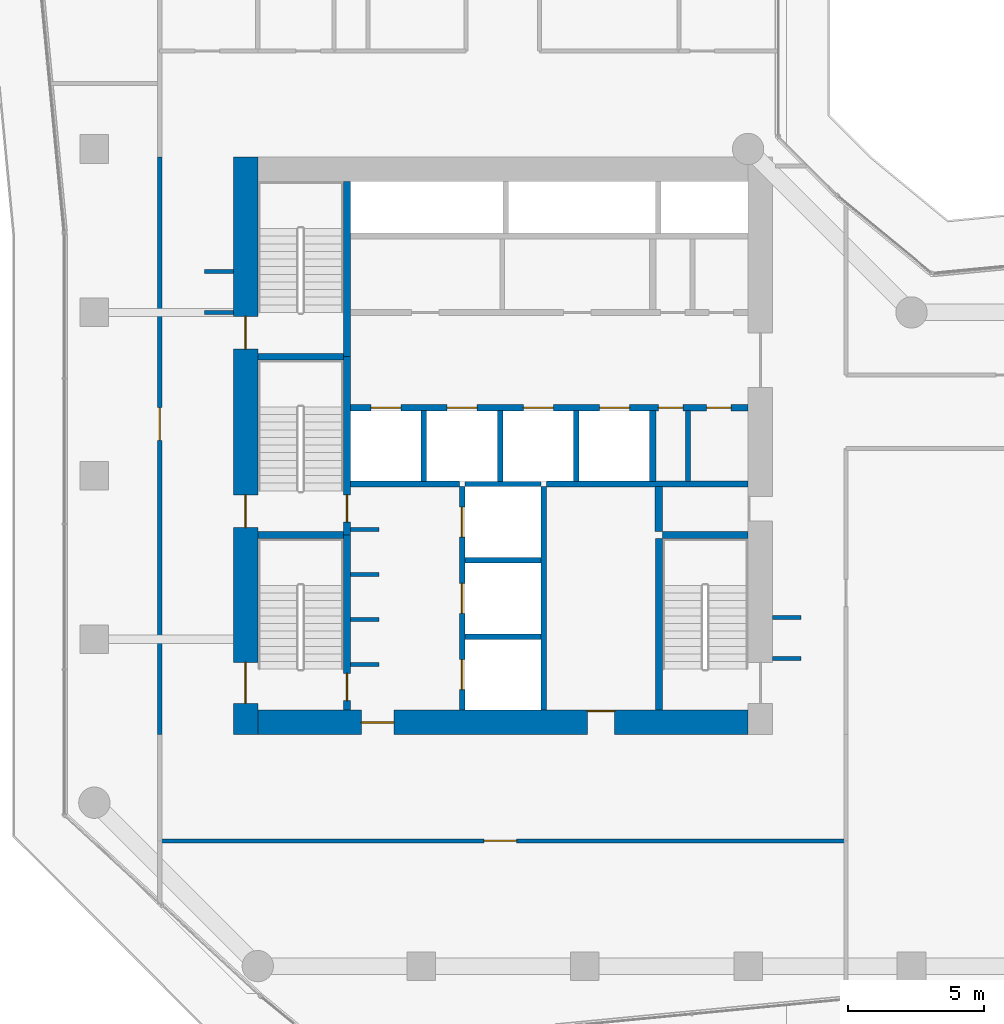
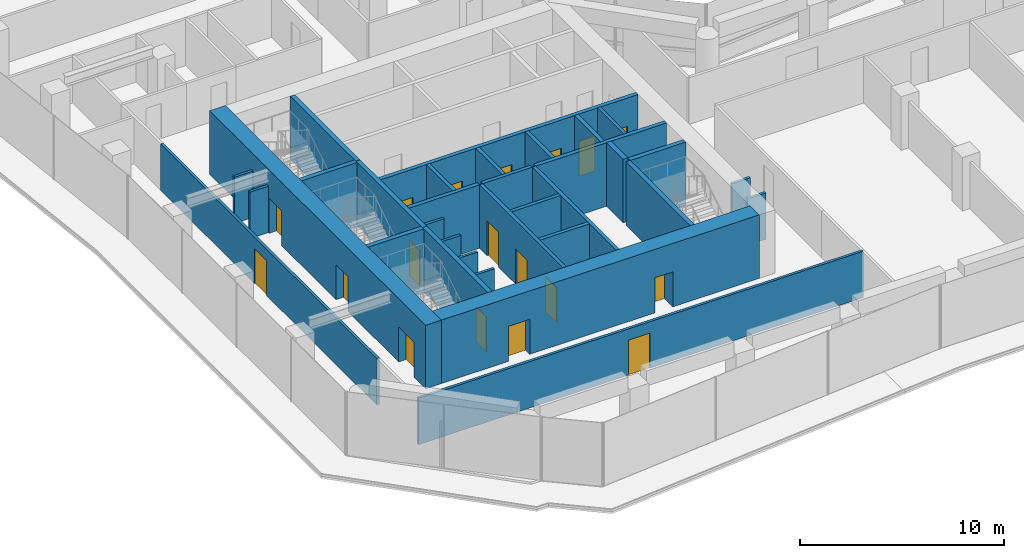
# One storey, part 24 of 30: 33 walls, 18 doors, 18 openings.
"""IFC4 building model written with IfcOpenShell, lengths in metres."""

from ifc_helpers import new_model, si_unit, direction, frame, frame_2d, origin, place, context, subcontext, project, spatial, rectangle, extrude, material, layer, layer_set, type_object, element, fill, save


model = new_model("IFC4")

# Units and contexts
model_context = context("Model", 3, precision=1e-05, world=origin(), true_north=direction((0.0, 1.0)))
body_context = subcontext(model_context, "Body", "Model", "MODEL_VIEW")
ifc_project = project(units=[si_unit("LENGTHUNIT", "METRE"), si_unit("AREAUNIT", "SQUARE_METRE"), si_unit("VOLUMEUNIT", "CUBIC_METRE"), si_unit("PLANEANGLEUNIT", "RADIAN"), si_unit("MASSUNIT", "GRAM", prefix="KILO")], contexts=[model_context])

# Site, building, storey
site_placement = place(None, origin())
site = spatial("IfcSite", under=ifc_project, at=site_placement, CompositionType="ELEMENT")
building_placement = place(site_placement, origin())
building = spatial("IfcBuilding", under=site, at=building_placement, Name="Welwitschia Terrace Campus", CompositionType="ELEMENT")
storey_placement = place(building_placement, frame((0.0, 0.0, 75.199951171875)))
storey = spatial("IfcBuildingStorey", under=building, at=storey_placement, Name="L17", CompositionType="ELEMENT", Elevation=75.199951171875)

# Walls
ifc_material_1 = material(Name="Concrete C32/40", Category="concrete")
ifc_layer_1 = layer(ifc_material_1, 0.175048828125)
ifc_layer_set_1 = layer_set([ifc_layer_1], Name="Concrete C32/40")
wall_type_1 = type_object("IfcWallType", Name="Core partition 175 Concrete C32/40", PredefinedType="PARTITIONING", material=ifc_layer_set_1)
wall_1_placement = place(storey_placement, frame((21.7900390625, 13.800048828125, 0.0), z_axis=(0.0, 0.0, 1.0), x_axis=(0.0, 1.0, 0.0)))
element("IfcWall", 1, at=wall_1_placement, inside=storey, type_object=wall_type_1, Name="Core partition", PredefinedType="PARTITIONING", context=body_context, shape_type="SweptSolid", body=[
    extrude(rectangle(XDim=2.599853515625, YDim=0.175048828125, at=frame_2d((1.2998046875, 0.0))), origin(), (0.0, 0.0, 1.0), 3.800048828125),
])
ifc_material_2 = material(Name="Concrete C32/40", Category="concrete")
ifc_layer_2 = layer(ifc_material_2, 0.22509765625)
ifc_layer_set_2 = layer_set([ifc_layer_2], Name="Concrete C32/40")
wall_type_2 = type_object("IfcWallType", Name="Core partition 225 Concrete C32/40", PredefinedType="PARTITIONING", material=ifc_layer_set_2)
wall_2_placement = place(storey_placement, frame((9.39990234375, 13.699951171875, 0.0), z_axis=(0.0, 0.0, 1.0), x_axis=(1.0, 0.0, 0.0)))
element("IfcWall", 2, at=wall_2_placement, inside=storey, type_object=wall_type_2, Name="Shaft wall", PredefinedType="PARTITIONING", context=body_context, shape_type="SweptSolid", body=[
    extrude(rectangle(XDim=4.0, YDim=0.22509765625, at=frame_2d((2.0, 0.0))), origin(), (0.0, 0.0, 1.0), 3.800048828125),
])
wall_3_placement = place(storey_placement, frame((16.60009765625, 13.699951171875, 0.0), z_axis=(0.0, 0.0, 1.0), x_axis=(1.0, 0.0, 0.0)))
element("IfcWall", 3, at=wall_3_placement, inside=storey, type_object=wall_type_2, Name="Shaft wall", PredefinedType="PARTITIONING", context=body_context, shape_type="SweptSolid", body=[
    extrude(rectangle(XDim=7.39990234375, YDim=0.22509765625, at=frame_2d((3.699951171875, 0.0))), origin(), (0.0, 0.0, 1.0), 3.800048828125),
])

# Wall, openings, doors
wall_4_placement = place(storey_placement, frame((9.39990234375, 16.5, 0.0), z_axis=(0.0, 0.0, 1.0), x_axis=(1.0, 0.0, 0.0)))
wall_4 = element("IfcWall", 4, at=wall_4_placement, inside=storey, type_object=wall_type_2, Name="Shaft wall", PredefinedType="PARTITIONING", context=body_context, shape_type="SweptSolid", body=[
    extrude(rectangle(XDim=14.60009765625, YDim=0.22509765625, at=frame_2d((7.300048828125, 0.0))), origin(), (0.0, 0.0, 1.0), 3.800048828125),
])
opening_1_placement = place(wall_4_placement, frame((0.75, 0.0, 0.0)))
opening_1 = element("IfcOpeningElement", 5, at=opening_1_placement, cuts=wall_4, Name="Opening LD", PredefinedType="OPENING", context=body_context, shape_type="SweptSolid", body=[
    extrude(rectangle(XDim=1.10009765625, YDim=2.10009765625, at=frame_2d((0.550048828125, 1.050048828125))), frame((0.0, 0.12255859375, 0.0), z_axis=(0.0, -1.0, 0.0), x_axis=(1.0, 0.0, 0.0)), (0.0, 0.0, 1.0), 0.2451171875),
])
opening_2_placement = place(wall_4_placement, frame((3.550048828125, 0.0, 0.0)))
opening_2 = element("IfcOpeningElement", 6, at=opening_2_placement, cuts=wall_4, Name="Opening LD", PredefinedType="OPENING", context=body_context, shape_type="SweptSolid", body=[
    extrude(rectangle(XDim=1.10009765625, YDim=2.10009765625, at=frame_2d((0.550048828125, 1.050048828125))), frame((0.0, 0.12255859375, 0.0), z_axis=(0.0, -1.0, 0.0), x_axis=(1.0, 0.0, 0.0)), (0.0, 0.0, 1.0), 0.2451171875),
])
opening_3_placement = place(wall_4_placement, frame((6.35009765625, 0.0, 0.0)))
opening_3 = element("IfcOpeningElement", 7, at=opening_3_placement, cuts=wall_4, Name="Opening LD", PredefinedType="OPENING", context=body_context, shape_type="SweptSolid", body=[
    extrude(rectangle(XDim=1.10009765625, YDim=2.10009765625, at=frame_2d((0.550048828125, 1.050048828125))), frame((0.0, 0.12255859375, 0.0), z_axis=(0.0, -1.0, 0.0), x_axis=(1.0, 0.0, 0.0)), (0.0, 0.0, 1.0), 0.2451171875),
])
opening_4_placement = place(wall_4_placement, frame((9.14990234375, 0.0, 0.0)))
opening_4 = element("IfcOpeningElement", 8, at=opening_4_placement, cuts=wall_4, Name="Opening LD", PredefinedType="OPENING", context=body_context, shape_type="SweptSolid", body=[
    extrude(rectangle(XDim=1.10009765625, YDim=2.10009765625, at=frame_2d((0.550048828125, 1.050048828125))), frame((0.0, 0.12255859375, 0.0), z_axis=(0.0, -1.0, 0.0), x_axis=(1.0, 0.0, 0.0)), (0.0, 0.0, 1.0), 0.2451171875),
])
opening_5_placement = place(wall_4_placement, frame((11.3076171875, 0.0, 0.0)))
opening_5 = element("IfcOpeningElement", 9, at=opening_5_placement, cuts=wall_4, Name="Opening DR09", PredefinedType="OPENING", context=body_context, shape_type="SweptSolid", body=[
    extrude(rectangle(XDim=0.89990234375, YDim=2.10009765625, at=frame_2d((0.449951171875, 1.050048828125))), frame((0.0, 0.12255859375, 0.0), z_axis=(0.0, -1.0, 0.0), x_axis=(1.0, 0.0, 0.0)), (0.0, 0.0, 1.0), 0.2451171875),
])
opening_6_placement = place(wall_4_placement, frame((13.08251953125, 0.0, 0.0)))
opening_6 = element("IfcOpeningElement", 10, at=opening_6_placement, cuts=wall_4, Name="Opening DR09", PredefinedType="OPENING", context=body_context, shape_type="SweptSolid", body=[
    extrude(rectangle(XDim=0.89990234375, YDim=2.10009765625, at=frame_2d((0.449951171875, 1.050048828125))), frame((0.0, 0.12255859375, 0.0), z_axis=(0.0, -1.0, 0.0), x_axis=(1.0, 0.0, 0.0)), (0.0, 0.0, 1.0), 0.2451171875),
])
ifc_material_3 = material(Name="Steel S275", Category="steel")
door_type_1 = type_object("IfcDoorType", Name="Core door DR09", OperationType="SINGLE_SWING_LEFT", PredefinedType="DOOR", material=ifc_material_3)
door_1_placement = place(opening_5_placement, origin())
door_1 = element("IfcDoor", 11, at=door_1_placement, inside=storey, type_object=door_type_1, Name="Door EL1-D", OperationType="SINGLE_SWING_RIGHT", OverallHeight=2.10009765625, OverallWidth=0.89990234375, PredefinedType="DOOR", context=body_context, shape_type="SweptSolid", body=[
    extrude(rectangle(XDim=0.89990234375, YDim=2.10009765625, at=frame_2d((0.449951171875, 1.050048828125))), frame((0.0, 0.02490234375, 0.0), z_axis=(0.0, -1.0, 0.0), x_axis=(1.0, 0.0, 0.0)), (0.0, 0.0, 1.0), 0.050048828125),
])
fill(opening_5, door_1)
door_2_placement = place(opening_6_placement, origin())
door_2 = element("IfcDoor", 12, at=door_2_placement, inside=storey, type_object=door_type_1, Name="Door EL2-D", OperationType="SINGLE_SWING_RIGHT", OverallHeight=2.10009765625, OverallWidth=0.89990234375, PredefinedType="DOOR", context=body_context, shape_type="SweptSolid", body=[
    extrude(rectangle(XDim=0.89990234375, YDim=2.10009765625, at=frame_2d((0.449951171875, 1.050048828125))), frame((0.0, 0.02490234375, 0.0), z_axis=(0.0, -1.0, 0.0), x_axis=(1.0, 0.0, 0.0)), (0.0, 0.0, 1.0), 0.050048828125),
])
fill(opening_6, door_2)
ifc_material_4 = material(Name="Stainless steel 304", Category="steel")
door_type_2 = type_object("IfcDoorType", Name="Lift landing door", OperationType="DOUBLE_DOOR_SLIDING", PredefinedType="DOOR", material=ifc_material_4)
door_3_placement = place(opening_1_placement, origin())
door_3 = element("IfcDoor", 13, at=door_3_placement, inside=storey, type_object=door_type_2, Name="Landing door LR1", OperationType="DOUBLE_DOOR_SLIDING", OverallHeight=2.10009765625, OverallWidth=1.10009765625, PredefinedType="DOOR", context=body_context, shape_type="SweptSolid", body=[
    extrude(rectangle(XDim=1.10009765625, YDim=2.10009765625, at=frame_2d((0.550048828125, 1.050048828125))), frame((0.0, 0.02490234375, 0.0), z_axis=(0.0, -1.0, 0.0), x_axis=(1.0, 0.0, 0.0)), (0.0, 0.0, 1.0), 0.050048828125),
])
fill(opening_1, door_3)
door_4_placement = place(opening_2_placement, origin())
door_4 = element("IfcDoor", 14, at=door_4_placement, inside=storey, type_object=door_type_2, Name="Landing door LR2", OperationType="DOUBLE_DOOR_SLIDING", OverallHeight=2.10009765625, OverallWidth=1.10009765625, PredefinedType="DOOR", context=body_context, shape_type="SweptSolid", body=[
    extrude(rectangle(XDim=1.10009765625, YDim=2.10009765625, at=frame_2d((0.550048828125, 1.050048828125))), frame((0.0, 0.02490234375, 0.0), z_axis=(0.0, -1.0, 0.0), x_axis=(1.0, 0.0, 0.0)), (0.0, 0.0, 1.0), 0.050048828125),
])
fill(opening_2, door_4)
door_5_placement = place(opening_3_placement, origin())
door_5 = element("IfcDoor", 15, at=door_5_placement, inside=storey, type_object=door_type_2, Name="Landing door LR3", OperationType="DOUBLE_DOOR_SLIDING", OverallHeight=2.10009765625, OverallWidth=1.10009765625, PredefinedType="DOOR", context=body_context, shape_type="SweptSolid", body=[
    extrude(rectangle(XDim=1.10009765625, YDim=2.10009765625, at=frame_2d((0.550048828125, 1.050048828125))), frame((0.0, 0.02490234375, 0.0), z_axis=(0.0, -1.0, 0.0), x_axis=(1.0, 0.0, 0.0)), (0.0, 0.0, 1.0), 0.050048828125),
])
fill(opening_3, door_5)
door_6_placement = place(opening_4_placement, origin())
door_6 = element("IfcDoor", 16, at=door_6_placement, inside=storey, type_object=door_type_2, Name="Landing door LR4", OperationType="DOUBLE_DOOR_SLIDING", OverallHeight=2.10009765625, OverallWidth=1.10009765625, PredefinedType="DOOR", context=body_context, shape_type="SweptSolid", body=[
    extrude(rectangle(XDim=1.10009765625, YDim=2.10009765625, at=frame_2d((0.550048828125, 1.050048828125))), frame((0.0, 0.02490234375, 0.0), z_axis=(0.0, -1.0, 0.0), x_axis=(1.0, 0.0, 0.0)), (0.0, 0.0, 1.0), 0.050048828125),
])
fill(opening_4, door_6)

# Walls
wall_5_placement = place(storey_placement, frame((20.5, 13.800048828125, 0.0), z_axis=(0.0, 0.0, 1.0), x_axis=(0.0, 1.0, 0.0)))
element("IfcWall", 17, at=wall_5_placement, inside=storey, type_object=wall_type_2, Name="Shaft wall", PredefinedType="PARTITIONING", context=body_context, shape_type="SweptSolid", body=[
    extrude(rectangle(XDim=2.599853515625, YDim=0.22509765625, at=frame_2d((1.2998046875, 0.0))), origin(), (0.0, 0.0, 1.0), 3.800048828125),
])
ifc_material_5 = material(Name="Concrete C32/40", Category="concrete")
ifc_layer_3 = layer(ifc_material_5, 0.27490234375)
ifc_layer_set_3 = layer_set([ifc_layer_3], Name="Concrete C32/40")
wall_type_3 = type_object("IfcWallType", Name="Core partition 275 Concrete C32/40", PredefinedType="PARTITIONING", material=ifc_layer_set_3)
wall_6_placement = place(storey_placement, frame((20.72509765625, 11.949951171875, 0.0), z_axis=(0.0, 0.0, 1.0), x_axis=(0.0, 1.0, 0.0)))
element("IfcWall", 18, at=wall_6_placement, inside=storey, type_object=wall_type_3, Name="Core partition", PredefinedType="PARTITIONING", context=body_context, shape_type="SweptSolid", body=[
    extrude(rectangle(XDim=1.650146484375, YDim=0.27490234375, at=frame_2d((0.8251953125, 0.0))), origin(), (0.0, 0.0, 1.0), 3.800048828125),
])
ifc_material_6 = material(Name="Concrete C50/60", Category="concrete")
ifc_layer_4 = layer(ifc_material_6, 0.14990234375)
ifc_layer_set_4 = layer_set([ifc_layer_4], Name="Concrete C50/60")
wall_type_4 = type_object("IfcWallType", Name="Core wall 150 Concrete C50/60", PredefinedType="SHEAR", material=ifc_layer_set_4)
for number, where, z_axis, x_axis, name in (
    (19, (9.39990234375, 7.074951171875, 0.0), (0.0, 0.0, 1.0), (1.0, 0.0, 0.0), "Core wall"),
    (20, (9.39990234375, 8.72509765625, 0.0), (0.0, 0.0, 1.0), (1.0, 0.0, 0.0), "Core wall"),
    (21, (9.39990234375, 10.375, 0.0), (0.0, 0.0, 1.0), (1.0, 0.0, 0.0), "Core wall"),
    (22, (9.39990234375, 12.02490234375, 0.0), (0.0, 0.0, 1.0), (1.0, 0.0, 0.0), "Core wall"),
):
    element("IfcWall", number, at=place(storey_placement, frame(where, z_axis=z_axis, x_axis=x_axis)), inside=storey, type_object=wall_type_4, Name=name, PredefinedType="SHEAR", context=body_context, shape_type="SweptSolid", body=[
        extrude(rectangle(XDim=1.050048828125, YDim=0.14990234375, at=frame_2d((0.52490234375, 0.0))), origin(), (0.0, 0.0, 1.0), 3.800048828125),
    ])
ifc_material_7 = material(Name="Concrete C50/60", Category="concrete")
ifc_layer_5 = layer(ifc_material_7, 0.199951171875)
ifc_layer_set_5 = layer_set([ifc_layer_5], Name="Concrete C50/60")
wall_type_5 = type_object("IfcWallType", Name="Core wall 200 Concrete C50/60", PredefinedType="SHEAR", material=ifc_layer_set_5)
for number, where, z_axis, x_axis, name in (
    (23, (13.60009765625, 8.10009765625, 0.0), (0.0, 0.0, 1.0), (1.0, 0.0, 0.0), "Core wall"),
    (24, (13.60009765625, 10.89990234375, 0.0), (0.0, 0.0, 1.0), (1.0, 0.0, 0.0), "Core wall"),
    (25, (13.60009765625, 13.699951171875, 0.0), (0.0, 0.0, 1.0), (1.0, 0.0, 0.0), "Core wall"),
):
    element("IfcWall", number, at=place(storey_placement, frame(where, z_axis=z_axis, x_axis=x_axis)), inside=storey, type_object=wall_type_5, Name=name, PredefinedType="SHEAR", context=body_context, shape_type="SweptSolid", body=[
        extrude(rectangle(XDim=2.7998046875, YDim=0.199951171875, at=frame_2d((1.39990234375, 0.0))), origin(), (0.0, 0.0, 1.0), 3.800048828125),
    ])

# Wall, openings, doors
wall_7_placement = place(storey_placement, frame((13.5, 5.39990234375, 0.0), z_axis=(0.0, 0.0, 1.0), x_axis=(0.0, 1.0, 0.0)))
wall_7 = element("IfcWall", 26, at=wall_7_placement, inside=storey, type_object=wall_type_5, Name="Core wall", PredefinedType="SHEAR", context=body_context, shape_type="SweptSolid", body=[
    extrude(rectangle(XDim=8.2001953125, YDim=0.199951171875, at=frame_2d((4.10009765625, 0.0))), origin(), (0.0, 0.0, 1.0), 3.800048828125),
])
opening_7_placement = place(wall_7_placement, frame((0.75, 0.0, 0.0)))
opening_7 = element("IfcOpeningElement", 27, at=opening_7_placement, cuts=wall_7, Name="Opening LD", PredefinedType="OPENING", context=body_context, shape_type="SweptSolid", body=[
    extrude(rectangle(XDim=1.10009765625, YDim=2.10009765625, at=frame_2d((0.550048828125, 1.050048828125))), frame((0.0, 0.10986328125, 0.0), z_axis=(0.0, -1.0, 0.0), x_axis=(1.0, 0.0, 0.0)), (0.0, 0.0, 1.0), 0.219970703125),
])
opening_8_placement = place(wall_7_placement, frame((3.550048828125, 0.0, 0.0)))
opening_8 = element("IfcOpeningElement", 28, at=opening_8_placement, cuts=wall_7, Name="Opening LD", PredefinedType="OPENING", context=body_context, shape_type="SweptSolid", body=[
    extrude(rectangle(XDim=1.10009765625, YDim=2.10009765625, at=frame_2d((0.550048828125, 1.050048828125))), frame((0.0, 0.10986328125, 0.0), z_axis=(0.0, -1.0, 0.0), x_axis=(1.0, 0.0, 0.0)), (0.0, 0.0, 1.0), 0.219970703125),
])
opening_9_placement = place(wall_7_placement, frame((6.35009765625, 0.0, 0.0)))
opening_9 = element("IfcOpeningElement", 29, at=opening_9_placement, cuts=wall_7, Name="Opening LD", PredefinedType="OPENING", context=body_context, shape_type="SweptSolid", body=[
    extrude(rectangle(XDim=1.10009765625, YDim=2.10009765625, at=frame_2d((0.550048828125, 1.050048828125))), frame((0.0, 0.10986328125, 0.0), z_axis=(0.0, -1.0, 0.0), x_axis=(1.0, 0.0, 0.0)), (0.0, 0.0, 1.0), 0.219970703125),
])
door_7_placement = place(opening_7_placement, origin())
door_7 = element("IfcDoor", 30, at=door_7_placement, inside=storey, type_object=door_type_2, Name="Landing door FF1", OperationType="DOUBLE_DOOR_SLIDING", OverallHeight=2.10009765625, OverallWidth=1.10009765625, PredefinedType="DOOR", context=body_context, shape_type="SweptSolid", body=[
    extrude(rectangle(XDim=1.10009765625, YDim=2.10009765625, at=frame_2d((0.550048828125, 1.050048828125))), frame((0.0, 0.02490234375, 0.0), z_axis=(0.0, -1.0, 0.0), x_axis=(1.0, 0.0, 0.0)), (0.0, 0.0, 1.0), 0.050048828125),
])
fill(opening_7, door_7)
door_8_placement = place(opening_8_placement, origin())
door_8 = element("IfcDoor", 31, at=door_8_placement, inside=storey, type_object=door_type_2, Name="Landing door FF2", OperationType="DOUBLE_DOOR_SLIDING", OverallHeight=2.10009765625, OverallWidth=1.10009765625, PredefinedType="DOOR", context=body_context, shape_type="SweptSolid", body=[
    extrude(rectangle(XDim=1.10009765625, YDim=2.10009765625, at=frame_2d((0.550048828125, 1.050048828125))), frame((0.0, 0.02490234375, 0.0), z_axis=(0.0, -1.0, 0.0), x_axis=(1.0, 0.0, 0.0)), (0.0, 0.0, 1.0), 0.050048828125),
])
fill(opening_8, door_8)
door_9_placement = place(opening_9_placement, origin())
door_9 = element("IfcDoor", 32, at=door_9_placement, inside=storey, type_object=door_type_2, Name="Landing door SV1", OperationType="DOUBLE_DOOR_SLIDING", OverallHeight=2.10009765625, OverallWidth=1.10009765625, PredefinedType="DOOR", context=body_context, shape_type="SweptSolid", body=[
    extrude(rectangle(XDim=1.10009765625, YDim=2.10009765625, at=frame_2d((0.550048828125, 1.050048828125))), frame((0.0, 0.02490234375, 0.0), z_axis=(0.0, -1.0, 0.0), x_axis=(1.0, 0.0, 0.0)), (0.0, 0.0, 1.0), 0.050048828125),
])
fill(opening_9, door_9)

# Walls
wall_8_placement = place(storey_placement, frame((16.5, 5.39990234375, 0.0), z_axis=(0.0, 0.0, 1.0), x_axis=(0.0, 1.0, 0.0)))
element("IfcWall", 33, at=wall_8_placement, inside=storey, type_object=wall_type_5, Name="Core wall", PredefinedType="SHEAR", context=body_context, shape_type="SweptSolid", body=[
    extrude(rectangle(XDim=8.2001953125, YDim=0.199951171875, at=frame_2d((4.10009765625, 0.0))), origin(), (0.0, 0.0, 1.0), 3.800048828125),
])
ifc_material_8 = material(Name="Concrete C50/60", Category="concrete")
ifc_layer_6 = layer(ifc_material_8, 0.25)
ifc_layer_set_6 = layer_set([ifc_layer_6], Name="Concrete C50/60")
wall_type_6 = type_object("IfcWallType", Name="Core wall 250 Concrete C50/60", PredefinedType="SHEAR", material=ifc_layer_set_6)
for number, where, z_axis, x_axis, name in (
    (34, (6.0, 11.824951171875, 0.0), (0.0, 0.0, 1.0), (1.0, 0.0, 0.0), "Core wall"),
    (35, (20.85009765625, 11.824951171875, 0.0), (0.0, 0.0, 1.0), (1.0, 0.0, 0.0), "Core wall"),
    (36, (6.0, 18.375, 0.0), (0.0, 0.0, 1.0), (1.0, 0.0, 0.0), "Core wall"),
):
    element("IfcWall", number, at=place(storey_placement, frame(where, z_axis=z_axis, x_axis=x_axis)), inside=storey, type_object=wall_type_6, Name=name, PredefinedType="SHEAR", context=body_context, shape_type="SweptSolid", body=[
        extrude(rectangle(XDim=3.14990234375, YDim=0.25, at=frame_2d((1.574951171875, 0.0))), origin(), (0.0, 0.0, 1.0), 3.800048828125),
    ])

# Wall, opening, door
wall_9_placement = place(storey_placement, frame((9.27490234375, 11.824951171875, 0.0), z_axis=(0.0, 0.0, 1.0), x_axis=(0.0, -1.0, 0.0)))
wall_9 = element("IfcWall", 37, at=wall_9_placement, inside=storey, type_object=wall_type_6, Name="Core wall", PredefinedType="SHEAR", context=body_context, shape_type="SweptSolid", body=[
    extrude(rectangle(XDim=6.425048828125, YDim=0.25, at=frame_2d((3.21240234375, 0.0))), origin(), (0.0, 0.0, 1.0), 3.800048828125),
])
opening_10_placement = place(wall_9_placement, frame((5.074951171875, 0.0, 0.0)))
opening_10 = element("IfcOpeningElement", 38, at=opening_10_placement, cuts=wall_9, Name="Opening DS10", PredefinedType="OPENING", context=body_context, shape_type="SweptSolid", body=[
    extrude(rectangle(XDim=1.0, YDim=2.10009765625, at=frame_2d((0.5, 1.050048828125))), frame((0.0, 0.135009765625, 0.0), z_axis=(0.0, -1.0, 0.0), x_axis=(1.0, 0.0, 0.0)), (0.0, 0.0, 1.0), 0.27001953125),
])
ifc_material_9 = material(Name="Steel S275", Category="steel")
door_type_3 = type_object("IfcDoorType", Name="Core door DS10", OperationType="SINGLE_SWING_LEFT", PredefinedType="DOOR", material=ifc_material_9)
door_10_placement = place(opening_10_placement, origin())
door_10 = element("IfcDoor", 39, at=door_10_placement, inside=storey, type_object=door_type_3, Name="Door S1-FL", OperationType="SINGLE_SWING_RIGHT", OverallHeight=2.10009765625, OverallWidth=1.0, PredefinedType="DOOR", context=body_context, shape_type="SweptSolid", body=[
    extrude(rectangle(XDim=1.0, YDim=2.10009765625, at=frame_2d((0.5, 1.050048828125))), frame((0.0, 0.02490234375, 0.0), z_axis=(0.0, -1.0, 0.0), x_axis=(1.0, 0.0, 0.0)), (0.0, 0.0, 1.0), 0.050048828125),
])
fill(opening_10, door_10)

wall_10_placement = place(storey_placement, frame((9.27490234375, 18.375, 0.0), z_axis=(0.0, 0.0, 1.0), x_axis=(0.0, -1.0, 0.0)))
wall_10 = element("IfcWall", 40, at=wall_10_placement, inside=storey, type_object=wall_type_6, Name="Core wall", PredefinedType="SHEAR", context=body_context, shape_type="SweptSolid", body=[
    extrude(rectangle(XDim=6.550048828125, YDim=0.25, at=frame_2d((3.27490234375, 0.0))), origin(), (0.0, 0.0, 1.0), 3.800048828125),
])
opening_11_placement = place(wall_10_placement, frame((5.074951171875, 0.0, 0.0)))
opening_11 = element("IfcOpeningElement", 41, at=opening_11_placement, cuts=wall_10, Name="Opening DS10", PredefinedType="OPENING", context=body_context, shape_type="SweptSolid", body=[
    extrude(rectangle(XDim=1.0, YDim=2.10009765625, at=frame_2d((0.5, 1.050048828125))), frame((0.0, 0.135009765625, 0.0), z_axis=(0.0, -1.0, 0.0), x_axis=(1.0, 0.0, 0.0)), (0.0, 0.0, 1.0), 0.27001953125),
])
door_11_placement = place(opening_11_placement, origin())
door_11 = element("IfcDoor", 42, at=door_11_placement, inside=storey, type_object=door_type_3, Name="Door S3-FL", OperationType="SINGLE_SWING_RIGHT", OverallHeight=2.10009765625, OverallWidth=1.0, PredefinedType="DOOR", context=body_context, shape_type="SweptSolid", body=[
    extrude(rectangle(XDim=1.0, YDim=2.10009765625, at=frame_2d((0.5, 1.050048828125))), frame((0.0, 0.02490234375, 0.0), z_axis=(0.0, -1.0, 0.0), x_axis=(1.0, 0.0, 0.0)), (0.0, 0.0, 1.0), 0.050048828125),
])
fill(opening_11, door_11)

# Walls
wall_11_placement = place(storey_placement, frame((9.27490234375, 18.375, 0.0), z_axis=(0.0, 0.0, 1.0), x_axis=(0.0, 1.0, 0.0)))
element("IfcWall", 43, at=wall_11_placement, inside=storey, type_object=wall_type_6, Name="Core wall", PredefinedType="SHEAR", context=body_context, shape_type="SweptSolid", body=[
    extrude(rectangle(XDim=6.425048828125, YDim=0.25, at=frame_2d((3.21240234375, 0.0))), origin(), (0.0, 0.0, 1.0), 3.800048828125),
])
wall_12_placement = place(storey_placement, frame((20.72509765625, 5.39990234375, 0.0), z_axis=(0.0, 0.0, 1.0), x_axis=(0.0, 1.0, 0.0)))
element("IfcWall", 44, at=wall_12_placement, inside=storey, type_object=wall_type_6, Name="Core wall", PredefinedType="SHEAR", context=body_context, shape_type="SweptSolid", body=[
    extrude(rectangle(XDim=6.300048828125, YDim=0.25, at=frame_2d((3.14990234375, 0.0))), origin(), (0.0, 0.0, 1.0), 3.800048828125),
])

# Wall, openings, doors
ifc_material_10 = material(Name="Concrete C70/85", Category="concrete")
ifc_layer_7 = layer(ifc_material_10, 0.89990234375)
ifc_layer_set_7 = layer_set([ifc_layer_7], Name="Concrete C70/85")
wall_type_7 = type_object("IfcWallType", Name="Core wall 900 Concrete C70/85", PredefinedType="SHEAR", material=ifc_layer_set_7)
wall_13_placement = place(storey_placement, frame((5.550048828125, 4.5, 0.0), z_axis=(0.0, 0.0, 1.0), x_axis=(0.0, 1.0, 0.0)))
wall_13 = element("IfcWall", 45, at=wall_13_placement, inside=storey, type_object=wall_type_7, Name="Core outer wall", PredefinedType="SHEAR", context=body_context, shape_type="SweptSolid", body=[
    extrude(rectangle(XDim=21.199951171875, YDim=0.89990234375, at=frame_2d((10.60009765625, 0.0))), origin(), (0.0, 0.0, 1.0), 3.800048828125),
])
opening_12_placement = place(wall_13_placement, frame((1.14990234375, 0.0, 0.0)))
opening_12 = element("IfcOpeningElement", 46, at=opening_12_placement, cuts=wall_13, Name="Opening DS15", PredefinedType="OPENING", context=body_context, shape_type="SweptSolid", body=[
    extrude(rectangle(XDim=1.5, YDim=2.10009765625, at=frame_2d((0.75, 1.050048828125))), frame((0.0, 0.4599609375, 0.0), z_axis=(0.0, -1.0, 0.0), x_axis=(1.0, 0.0, 0.0)), (0.0, 0.0, 1.0), 0.919921875),
])
opening_13_placement = place(wall_13_placement, frame((7.60009765625, 0.0, 0.0)))
opening_13 = element("IfcOpeningElement", 47, at=opening_13_placement, cuts=wall_13, Name="Opening DS12", PredefinedType="OPENING", context=body_context, shape_type="SweptSolid", body=[
    extrude(rectangle(XDim=1.199951171875, YDim=2.10009765625, at=frame_2d((0.60009765625, 1.050048828125))), frame((0.0, 0.4599609375, 0.0), z_axis=(0.0, -1.0, 0.0), x_axis=(1.0, 0.0, 0.0)), (0.0, 0.0, 1.0), 0.919921875),
])
opening_14_placement = place(wall_13_placement, frame((14.14990234375, 0.0, 0.0)))
opening_14 = element("IfcOpeningElement", 48, at=opening_14_placement, cuts=wall_13, Name="Opening DS12", PredefinedType="OPENING", context=body_context, shape_type="SweptSolid", body=[
    extrude(rectangle(XDim=1.199951171875, YDim=2.10009765625, at=frame_2d((0.60009765625, 1.050048828125))), frame((0.0, 0.4599609375, 0.0), z_axis=(0.0, -1.0, 0.0), x_axis=(1.0, 0.0, 0.0)), (0.0, 0.0, 1.0), 0.919921875),
])
ifc_material_11 = material(Name="Steel S275", Category="steel")
door_type_4 = type_object("IfcDoorType", Name="Core door DS12", OperationType="SINGLE_SWING_LEFT", PredefinedType="DOOR", material=ifc_material_11)
door_12_placement = place(opening_13_placement, origin())
door_12 = element("IfcDoor", 49, at=door_12_placement, inside=storey, type_object=door_type_4, Name="Door S3-out", OperationType="SINGLE_SWING_LEFT", OverallHeight=2.10009765625, OverallWidth=1.199951171875, PredefinedType="DOOR", context=body_context, shape_type="SweptSolid", body=[
    extrude(rectangle(XDim=1.199951171875, YDim=2.10009765625, at=frame_2d((0.60009765625, 1.050048828125))), frame((0.0, 0.02490234375, 0.0), z_axis=(0.0, -1.0, 0.0), x_axis=(1.0, 0.0, 0.0)), (0.0, 0.0, 1.0), 0.050048828125),
])
fill(opening_13, door_12)
door_13_placement = place(opening_14_placement, origin())
door_13 = element("IfcDoor", 50, at=door_13_placement, inside=storey, type_object=door_type_4, Name="Door S4-out", OperationType="SINGLE_SWING_RIGHT", OverallHeight=2.10009765625, OverallWidth=1.199951171875, PredefinedType="DOOR", context=body_context, shape_type="SweptSolid", body=[
    extrude(rectangle(XDim=1.199951171875, YDim=2.10009765625, at=frame_2d((0.60009765625, 1.050048828125))), frame((0.0, 0.02490234375, 0.0), z_axis=(0.0, -1.0, 0.0), x_axis=(1.0, 0.0, 0.0)), (0.0, 0.0, 1.0), 0.050048828125),
])
fill(opening_14, door_13)
ifc_material_12 = material(Name="Steel S275", Category="steel")
door_type_5 = type_object("IfcDoorType", Name="Core door DS15", OperationType="DOUBLE_DOOR_SINGLE_SWING", PredefinedType="DOOR", material=ifc_material_12)
door_14_placement = place(opening_12_placement, origin())
door_14 = element("IfcDoor", 51, at=door_14_placement, inside=storey, type_object=door_type_5, Name="Door S1-out", OperationType="DOUBLE_DOOR_SINGLE_SWING", OverallHeight=2.10009765625, OverallWidth=1.5, PredefinedType="DOOR", context=body_context, shape_type="SweptSolid", body=[
    extrude(rectangle(XDim=1.5, YDim=2.10009765625, at=frame_2d((0.75, 1.050048828125))), frame((0.0, 0.02490234375, 0.0), z_axis=(0.0, -1.0, 0.0), x_axis=(1.0, 0.0, 0.0)), (0.0, 0.0, 1.0), 0.050048828125),
])
fill(opening_12, door_14)

wall_14_placement = place(storey_placement, frame((24.0, 4.949951171875, 0.0), z_axis=(0.0, 0.0, 1.0), x_axis=(-1.0, 0.0, 0.0)))
wall_14 = element("IfcWall", 52, at=wall_14_placement, inside=storey, type_object=wall_type_7, Name="Core outer wall", PredefinedType="SHEAR", context=body_context, shape_type="SweptSolid", body=[
    extrude(rectangle(XDim=18.0, YDim=0.89990234375, at=frame_2d((9.0, 0.0))), origin(), (0.0, 0.0, 1.0), 3.800048828125),
])
opening_15_placement = place(wall_14_placement, frame((13.0, 0.0, 0.0)))
opening_15 = element("IfcOpeningElement", 53, at=opening_15_placement, cuts=wall_14, Name="Opening DF12", PredefinedType="OPENING", context=body_context, shape_type="SweptSolid", body=[
    extrude(rectangle(XDim=1.199951171875, YDim=2.10009765625, at=frame_2d((0.60009765625, 1.050048828125))), frame((0.0, 0.4599609375, 0.0), z_axis=(0.0, -1.0, 0.0), x_axis=(1.0, 0.0, 0.0)), (0.0, 0.0, 1.0), 0.919921875),
])
opening_16_placement = place(wall_14_placement, frame((4.89990234375, 0.0, 0.0)))
opening_16 = element("IfcOpeningElement", 54, at=opening_16_placement, cuts=wall_14, Name="Opening DR10", PredefinedType="OPENING", context=body_context, shape_type="SweptSolid", body=[
    extrude(rectangle(XDim=1.0, YDim=2.10009765625, at=frame_2d((0.5, 1.050048828125))), frame((0.0, 0.4599609375, 0.0), z_axis=(0.0, -1.0, 0.0), x_axis=(1.0, 0.0, 0.0)), (0.0, 0.0, 1.0), 0.919921875),
])
ifc_material_13 = material(Name="Steel S275", Category="steel")
door_type_6 = type_object("IfcDoorType", Name="Core door DF12", OperationType="SINGLE_SWING_LEFT", PredefinedType="DOOR", material=ifc_material_13)
door_15_placement = place(opening_15_placement, origin())
door_15 = element("IfcDoor", 55, at=door_15_placement, inside=storey, type_object=door_type_6, Name="Door FL-out", OperationType="SINGLE_SWING_RIGHT", OverallHeight=2.10009765625, OverallWidth=1.199951171875, PredefinedType="DOOR", context=body_context, shape_type="SweptSolid", body=[
    extrude(rectangle(XDim=1.199951171875, YDim=2.10009765625, at=frame_2d((0.60009765625, 1.050048828125))), frame((0.0, 0.02490234375, 0.0), z_axis=(0.0, -1.0, 0.0), x_axis=(1.0, 0.0, 0.0)), (0.0, 0.0, 1.0), 0.050048828125),
])
fill(opening_15, door_15)
ifc_material_14 = material(Name="Steel S275", Category="steel")
door_type_7 = type_object("IfcDoorType", Name="Core door DR10", OperationType="SINGLE_SWING_LEFT", PredefinedType="DOOR", material=ifc_material_14)
door_16_placement = place(opening_16_placement, origin())
door_16 = element("IfcDoor", 56, at=door_16_placement, inside=storey, type_object=door_type_7, Name="Door F1-out", OperationType="SINGLE_SWING_LEFT", OverallHeight=2.10009765625, OverallWidth=1.0, PredefinedType="DOOR", context=body_context, shape_type="SweptSolid", body=[
    extrude(rectangle(XDim=1.0, YDim=2.10009765625, at=frame_2d((0.5, 1.050048828125))), frame((0.0, -0.39013671875, 0.0), z_axis=(0.0, -1.0, 0.0), x_axis=(1.0, 0.0, 0.0)), (0.0, 0.0, 1.0), 0.050048828125),
])
fill(opening_16, door_16)

# Wall, opening, door
ifc_material_15 = material(Name="Gypsum board on steel studs", Category="steel")
ifc_layer_8 = layer(ifc_material_15, 0.14990234375)
ifc_layer_set_8 = layer_set([ifc_layer_8], Name="Gypsum board on steel studs")
wall_type_8 = type_object("IfcWallType", Name="Corridor partition 150 EI 30", PredefinedType="PARTITIONING", material=ifc_layer_set_8)
wall_15_placement = place(storey_placement, frame((2.39990234375, 4.5, 0.0), z_axis=(0.0, 0.0, 1.0), x_axis=(0.0, 1.0, 0.0)))
wall_15 = element("IfcWall", 57, at=wall_15_placement, inside=storey, type_object=wall_type_8, Name="Partition", PredefinedType="PARTITIONING", context=body_context, shape_type="SweptSolid", body=[
    extrude(rectangle(XDim=21.199951171875, YDim=0.14990234375, at=frame_2d((10.60009765625, 0.0))), origin(), (0.0, 0.0, 1.0), 2.780029296875),
])
opening_17_placement = place(wall_15_placement, frame((10.800048828125, 0.0, 0.0)))
opening_17 = element("IfcOpeningElement", 58, at=opening_17_placement, cuts=wall_15, Name="Opening DI12", PredefinedType="OPENING", context=body_context, shape_type="SweptSolid", body=[
    extrude(rectangle(XDim=1.199951171875, YDim=2.10009765625, at=frame_2d((0.60009765625, 1.050048828125))), frame((0.0, 0.0849609375, 0.0), z_axis=(0.0, -1.0, 0.0), x_axis=(1.0, 0.0, 0.0)), (0.0, 0.0, 1.0), 0.169921875),
])
ifc_material_16 = material(Name="Timber veneered door", Category="wood")
door_type_8 = type_object("IfcDoorType", Name="Interior door DI12", OperationType="NOTDEFINED", PredefinedType="DOOR", material=ifc_material_16)
door_17_placement = place(opening_17_placement, origin())
door_17 = element("IfcDoor", 59, at=door_17_placement, inside=storey, type_object=door_type_8, Name="Door L17 384", OperationType="SINGLE_SWING_LEFT", OverallHeight=2.10009765625, OverallWidth=1.199951171875, PredefinedType="DOOR", context=body_context, shape_type="SweptSolid", body=[
    extrude(rectangle(XDim=1.199951171875, YDim=2.10009765625, at=frame_2d((0.60009765625, 1.050048828125))), frame((0.0, 0.02490234375, 0.0), z_axis=(0.0, -1.0, 0.0), x_axis=(1.0, 0.0, 0.0)), (0.0, 0.0, 1.0), 0.050048828125),
])
fill(opening_17, door_17)

# Walls
for number, where, z_axis, x_axis, name in (
    (60, (4.050048828125, 20.0, 0.0), (0.0, 0.0, 1.0), (1.0, 0.0, 0.0), "Partition"),
    (61, (4.050048828125, 21.5, 0.0), (0.0, 0.0, 1.0), (1.0, 0.0, 0.0), "Partition"),
    (62, (24.89990234375, 7.300048828125, 0.0), (0.0, 0.0, 1.0), (1.0, 0.0, 0.0), "Partition"),
    (63, (24.89990234375, 8.800048828125, 0.0), (0.0, 0.0, 1.0), (1.0, 0.0, 0.0), "Partition"),
):
    element("IfcWall", number, at=place(storey_placement, frame(where, z_axis=z_axis, x_axis=x_axis)), inside=storey, type_object=wall_type_8, Name=name, PredefinedType="PARTITIONING", context=body_context, shape_type="SweptSolid", body=[
        extrude(rectangle(XDim=1.050048828125, YDim=0.14990234375, at=frame_2d((0.52490234375, 0.0))), origin(), (0.0, 0.0, 1.0), 2.780029296875),
    ])

# Wall, opening, door
wall_16_placement = place(storey_placement, frame((27.60009765625, 0.60009765625, 0.0), z_axis=(0.0, 0.0, 1.0), x_axis=(-1.0, 0.0, 0.0)))
wall_16 = element("IfcWall", 64, at=wall_16_placement, inside=storey, type_object=wall_type_8, Name="Partition", PredefinedType="PARTITIONING", context=body_context, shape_type="SweptSolid", body=[
    extrude(rectangle(XDim=25.2001953125, YDim=0.14990234375, at=frame_2d((12.60009765625, 0.0))), origin(), (0.0, 0.0, 1.0), 2.780029296875),
])
opening_18_placement = place(wall_16_placement, frame((12.10009765625, 0.0, 0.0)))
opening_18 = element("IfcOpeningElement", 65, at=opening_18_placement, cuts=wall_16, Name="Opening DI12", PredefinedType="OPENING", context=body_context, shape_type="SweptSolid", body=[
    extrude(rectangle(XDim=1.199951171875, YDim=2.10009765625, at=frame_2d((0.60009765625, 1.050048828125))), frame((0.0, 0.0849609375, 0.0), z_axis=(0.0, -1.0, 0.0), x_axis=(1.0, 0.0, 0.0)), (0.0, 0.0, 1.0), 0.169921875),
])
door_18_placement = place(opening_18_placement, origin())
door_18 = element("IfcDoor", 66, at=door_18_placement, inside=storey, type_object=door_type_8, Name="Door L17 398", OperationType="SINGLE_SWING_LEFT", OverallHeight=2.10009765625, OverallWidth=1.199951171875, PredefinedType="DOOR", context=body_context, shape_type="SweptSolid", body=[
    extrude(rectangle(XDim=1.199951171875, YDim=2.10009765625, at=frame_2d((0.60009765625, 1.050048828125))), frame((0.0, 0.02490234375, 0.0), z_axis=(0.0, -1.0, 0.0), x_axis=(1.0, 0.0, 0.0)), (0.0, 0.0, 1.0), 0.050048828125),
])
fill(opening_18, door_18)

# Walls
ifc_material_17 = material(Name="Concrete C32/40", Category="concrete")
ifc_layer_9 = layer(ifc_material_17, 0.199951171875)
ifc_layer_set_9 = layer_set([ifc_layer_9], Name="Concrete C32/40")
wall_type_9 = type_object("IfcWallType", Name="Shaft wall 200 Concrete C32/40", PredefinedType="SOLIDWALL", material=ifc_layer_set_9)
for number, where, z_axis, x_axis, name in (
    (67, (12.10009765625, 13.800048828125, 0.0), (0.0, 0.0, 1.0), (0.0, 1.0, 0.0), "Shaft wall"),
    (68, (14.89990234375, 13.800048828125, 0.0), (0.0, 0.0, 1.0), (0.0, 1.0, 0.0), "Shaft wall"),
    (69, (17.699951171875, 13.800048828125, 0.0), (0.0, 0.0, 1.0), (0.0, 1.0, 0.0), "Shaft wall"),
):
    element("IfcWall", number, at=place(storey_placement, frame(where, z_axis=z_axis, x_axis=x_axis)), inside=storey, type_object=wall_type_9, Name=name, PredefinedType="SOLIDWALL", context=body_context, shape_type="SweptSolid", body=[
        extrude(rectangle(XDim=2.599853515625, YDim=0.199951171875, at=frame_2d((1.2998046875, 0.0))), origin(), (0.0, 0.0, 1.0), 3.800048828125),
    ])

save(model, "model.ifc")
